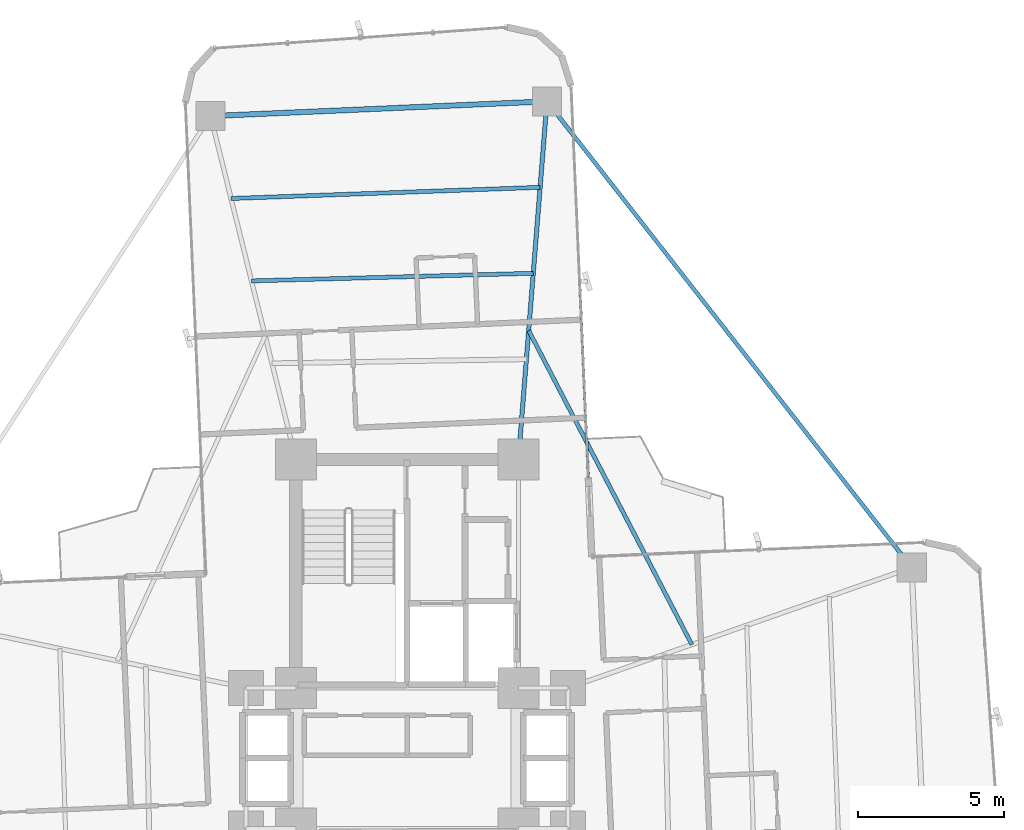
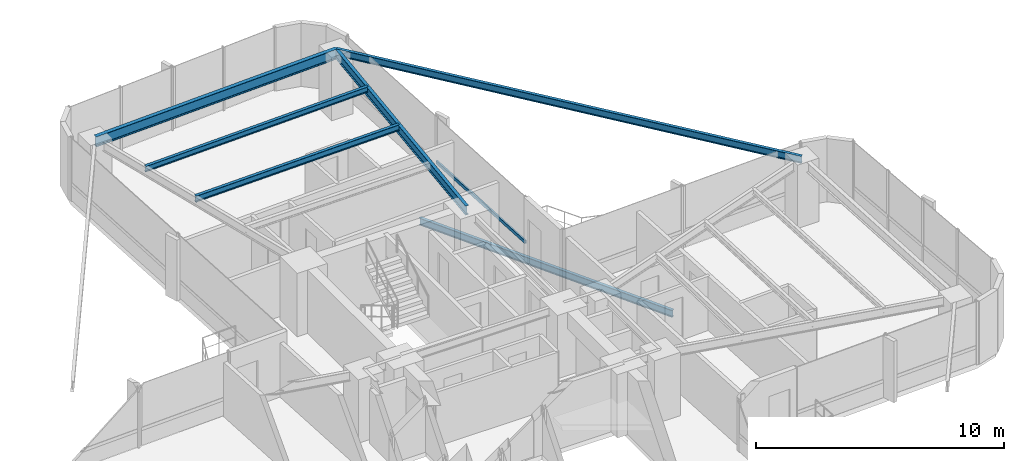
# One storey, part 18 of 26: 6 beams, 1 member, 1 element without a shape of its own.
"""IFC4 building model written with IfcOpenShell, lengths in metres."""

from ifc_helpers import new_model, si_unit, direction, frame, origin, origin_2d, place, context, subcontext, project, spatial, hollow_rectangle, i_section, extrude, source, transform, mapped, material, material_profile, profile_set, type_object, element, aggregate, save


model = new_model("IFC4")

# Units and contexts
model_context = context("Model", 3, precision=1e-05, world=origin(), true_north=direction((0.0, 1.0)))
body_context = subcontext(model_context, "Body", "Model", "MODEL_VIEW")
ifc_project = project(units=[si_unit("LENGTHUNIT", "METRE"), si_unit("AREAUNIT", "SQUARE_METRE"), si_unit("VOLUMEUNIT", "CUBIC_METRE"), si_unit("PLANEANGLEUNIT", "RADIAN"), si_unit("MASSUNIT", "GRAM", prefix="KILO")], contexts=[model_context])

# Site, building, storey
site_placement = place(None, origin())
site = spatial("IfcSite", under=ifc_project, at=site_placement, CompositionType="ELEMENT")
building_placement = place(site_placement, origin())
building = spatial("IfcBuilding", under=site, at=building_placement, Name="Sahyath Konkavel Grand Hotel", CompositionType="ELEMENT")
storey_placement = place(building_placement, frame((0.0, 0.0, 111.449951171875)))
storey = spatial("IfcBuildingStorey", under=building, at=storey_placement, Name="L30", CompositionType="ELEMENT", Elevation=111.449951171875)

# Beams
ifc_material_1 = material(Name="Steel E350", Category="steel")
ifc_material_profile_1 = material_profile(ifc_material_1, i_section(OverallWidth=0.14990234375, OverallDepth=0.449951171875, WebThickness=0.009521484375, FlangeThickness=0.017333984375, FilletRadius=0.014892578125, at=origin_2d()), Name="ISMB 450")
ifc_profile_set_1 = profile_set([ifc_material_profile_1], Name="Steel E350")
beam_type_1 = type_object("IfcBeamType", Name="BM-ISMB450", PredefinedType="BEAM", material=ifc_profile_set_1)
shared_shape_1 = source(origin(), body_context, "Body", "SweptSolid", [
    extrude(i_section(OverallWidth=0.14990234375, OverallDepth=0.449951171875, WebThickness=0.009521484375, FlangeThickness=0.017333984375, FilletRadius=0.014892578125, at=origin_2d()), origin(), (0.0, 0.0, 1.0), 12.2685546875),
])
beam_1_placement = place(storey_placement, frame((3.800048828125, 10.199951171875, 2.885009765625), z_axis=(0.079558563357, 0.996830193662, 0.0), x_axis=(-0.996830193662, 0.079558563357, 0.0)))
element("IfcBeam", 1, at=beam_1_placement, inside=storey, type_object=beam_type_1, Name="L30 Cruciform Radial Girder NA", PredefinedType="BEAM", context=body_context, shape_type="MappedRepresentation", body=[
    mapped(shared_shape_1, transform((0.0, 0.0, 0.0), scale=1.0)),
])
ifc_material_profile_2 = material_profile(ifc_material_1, i_section(OverallWidth=0.179931640625, OverallDepth=0.5, WebThickness=0.01025390625, FlangeThickness=0.01708984375, FilletRadius=0.01708984375, at=origin_2d()), Name="ISMB 500")
ifc_profile_set_2 = profile_set([ifc_material_profile_2], Name="Steel E350")
beam_type_2 = type_object("IfcBeamType", Name="BM-ISMB500", PredefinedType="BEAM", material=ifc_profile_set_2)
shared_shape_2 = source(origin(), body_context, "Body", "SweptSolid", [
    extrude(i_section(OverallWidth=0.179931640625, OverallDepth=0.5, WebThickness=0.01025390625, FlangeThickness=0.01708984375, FilletRadius=0.01708984375, at=origin_2d()), origin(), (0.0, 0.0, 1.0), 11.5),
])
beam_2_placement = place(storey_placement, frame((4.776123046875, 22.4296875, 2.860107421875), z_axis=(-0.99904788879, -0.043627008892, 0.0), x_axis=(0.043627008892, -0.99904788879, 0.0)))
element("IfcBeam", 2, at=beam_2_placement, inside=storey, type_object=beam_type_2, Name="L30 Wing Tip Edge Beam N", PredefinedType="BEAM", context=body_context, shape_type="MappedRepresentation", body=[
    mapped(shared_shape_2, transform((0.0, 0.0, 0.0), scale=1.0)),
])
ifc_material_profile_3 = material_profile(ifc_material_1, i_section(OverallWidth=0.139892578125, OverallDepth=0.35009765625, WebThickness=0.008056640625, FlangeThickness=0.01416015625, FilletRadius=0.013916015625, at=origin_2d()), Name="ISMB 350")
ifc_profile_set_3 = profile_set([ifc_material_profile_3], Name="Steel E350")
beam_type_3 = type_object("IfcBeamType", Name="BM-ISMB350", PredefinedType="BEAM", material=ifc_profile_set_3)
shared_shape_3 = source(origin(), body_context, "Body", "SweptSolid", [
    extrude(i_section(OverallWidth=0.139892578125, OverallDepth=0.35009765625, WebThickness=0.008056640625, FlangeThickness=0.01416015625, FilletRadius=0.013916015625, at=origin_2d()), origin(), (0.0, 0.0, 1.0), 20.215576171875),
])
beam_3_placement = place(storey_placement, frame((17.232421875, 6.5078125, 2.93505859375), z_axis=(-0.616176369687, 0.787608203004, 0.0), x_axis=(-0.787608203004, -0.616176369687, 0.0)))
element("IfcBeam", 3, at=beam_3_placement, inside=storey, type_object=beam_type_3, Name="L30 Re-Entrant Tie Beam NE", PredefinedType="BEAM", context=body_context, shape_type="MappedRepresentation", body=[
    mapped(shared_shape_3, transform((0.0, 0.0, 0.0), scale=1.0)),
])
ifc_material_profile_4 = material_profile(ifc_material_1, i_section(OverallWidth=0.139892578125, OverallDepth=0.300048828125, WebThickness=0.0078125, FlangeThickness=0.01318359375, FilletRadius=0.013916015625, at=origin_2d()), Name="ISMB 300")
ifc_profile_set_4 = profile_set([ifc_material_profile_4], Name="Steel E350")
beam_type_4 = type_object("IfcBeamType", Name="BM-ISMB300", PredefinedType="BEAM", material=ifc_profile_set_4)
shared_shape_4 = source(origin(), body_context, "Body", "SweptSolid", [
    extrude(i_section(OverallWidth=0.139892578125, OverallDepth=0.300048828125, WebThickness=0.0078125, FlangeThickness=0.01318359375, FilletRadius=0.013916015625, at=origin_2d()), origin(), (0.0, 0.0, 1.0), 9.625732421875),
])
beam_4_placement = place(storey_placement, frame((4.3076171875, 16.559326171875, 2.9599609375), z_axis=(-0.999633060528, -0.027087714933, 0.0), x_axis=(0.027087714933, -0.999633060528, 0.0)))
element("IfcBeam", 4, at=beam_4_placement, inside=storey, type_object=beam_type_4, Name="L30 Secondary Floor Beam N-2", PredefinedType="BEAM", context=body_context, shape_type="MappedRepresentation", body=[
    mapped(shared_shape_4, transform((0.0, 0.0, 0.0), scale=1.0)),
])
ifc_material_profile_5 = material_profile(ifc_material_1, i_section(OverallWidth=0.139892578125, OverallDepth=0.27490234375, WebThickness=0.00634765625, FlangeThickness=0.0087890625, FilletRadius=0.012939453125, at=origin_2d()), Name="ISLB 275")
ifc_profile_set_5 = profile_set([ifc_material_profile_5], Name="Steel E350")
beam_type_5 = type_object("IfcBeamType", Name="BM-ISLB275", PredefinedType="BEAM", material=ifc_profile_set_5)
shared_shape_5 = source(origin(), body_context, "Body", "SweptSolid", [
    extrude(i_section(OverallWidth=0.139892578125, OverallDepth=0.27490234375, WebThickness=0.00634765625, FlangeThickness=0.0087890625, FilletRadius=0.012939453125, at=origin_2d()), origin(), (0.0, 0.0, 1.0), 10.562744140625),
])
beam_5_placement = place(storey_placement, frame((4.5419921875, 19.49462890625, 2.97265625), z_axis=(-0.999348077295, -0.036102914095, 0.0), x_axis=(0.036102914095, -0.999348077295, 0.0)))
element("IfcBeam", 5, at=beam_5_placement, inside=storey, type_object=beam_type_5, Name="L30 Secondary Floor Beam N-3", PredefinedType="BEAM", context=body_context, shape_type="MappedRepresentation", body=[
    mapped(shared_shape_5, transform((0.0, 0.0, 0.0), scale=1.0)),
])

# Curtain wall, member
ifc_material_2 = material(Name="Anodised Bronze Aluminium & Low-E Glazing", Category="aluminium")
curtain_wall_type = type_object("IfcCurtainWallType", Name="CW-ZONE2", PredefinedType="NOTDEFINED", material=ifc_material_2)
curtain_wall_placement = place(storey_placement, origin())
curtain_wall = element("IfcCurtainWall", 6, at=curtain_wall_placement, inside=storey, type_object=curtain_wall_type, Name="L30 Unitised Curtain Wall F8", PredefinedType="NOTDEFINED")
ifc_material_3 = material(Name="Anodised Bronze Aluminium", Category="aluminium")
ifc_material_profile_6 = material_profile(ifc_material_3, hollow_rectangle(XDim=0.080078125, YDim=0.159912109375, WallThickness=0.006103515625, at=origin_2d()), Name="RHS 160x80x6")
ifc_profile_set_6 = profile_set([ifc_material_profile_6], Name="Anodised Bronze Aluminium")
member_type = type_object("IfcMemberType", Name="CW-TRN-160", PredefinedType="USERDEFINED", material=ifc_profile_set_6)
shared_shape_6 = source(origin(), body_context, "Body", "SweptSolid", [
    extrude(hollow_rectangle(XDim=0.080078125, YDim=0.159912109375, WallThickness=0.006103515625, at=origin_2d()), origin(), (0.0, 0.0, 1.0), 6.66015625),
])
member_placement = place(storey_placement, frame((6.186279296875, 9.618896484375, 0.85009765625), z_axis=(-0.043621753165, 0.999048118286, 0.0), x_axis=(-0.999048118286, -0.043621753165, 0.0)))
member = element("IfcMember", 7, at=member_placement, type_object=member_type, Name="L30 Curtain Wall Transom F8-0-spandrel", ObjectType="TRANSOM", PredefinedType="USERDEFINED", context=body_context, shape_type="MappedRepresentation", body=[
    mapped(shared_shape_6, transform((0.0, 0.0, 0.0), scale=1.0)),
])
aggregate(curtain_wall, [member])

# Beam
ifc_material_profile_7 = material_profile(ifc_material_1, i_section(OverallWidth=0.139892578125, OverallDepth=0.35009765625, WebThickness=0.008056640625, FlangeThickness=0.01416015625, FilletRadius=0.013916015625, at=origin_2d()), Name="ISMB 350")
ifc_profile_set_7 = profile_set([ifc_material_profile_7], Name="Steel E350")
beam_type_6 = type_object("IfcBeamType", Name="BM-BALC-CANT", PredefinedType="BEAM", material=ifc_profile_set_7)
shared_shape_7 = source(origin(), body_context, "Body", "SweptSolid", [
    extrude(i_section(OverallWidth=0.139892578125, OverallDepth=0.35009765625, WebThickness=0.008056640625, FlangeThickness=0.01416015625, FilletRadius=0.013916015625, at=origin_2d()), origin(), (0.0, 0.0, 1.0), 12.085205078125),
])
beam_6_placement = place(storey_placement, frame((9.7236328125, 3.87890625, -0.4150390625), z_axis=(-0.461082384626, 0.887357331962, 0.0), x_axis=(-0.887357331962, -0.461082384626, 0.0)))
element("IfcBeam", 8, at=beam_6_placement, inside=storey, type_object=beam_type_6, Name="L30 Balcony Cantilever Support Beam NE", PredefinedType="BEAM", context=body_context, shape_type="MappedRepresentation", body=[
    mapped(shared_shape_7, transform((0.0, 0.0, 0.0), scale=1.0)),
])

save(model, "model.ifc")
